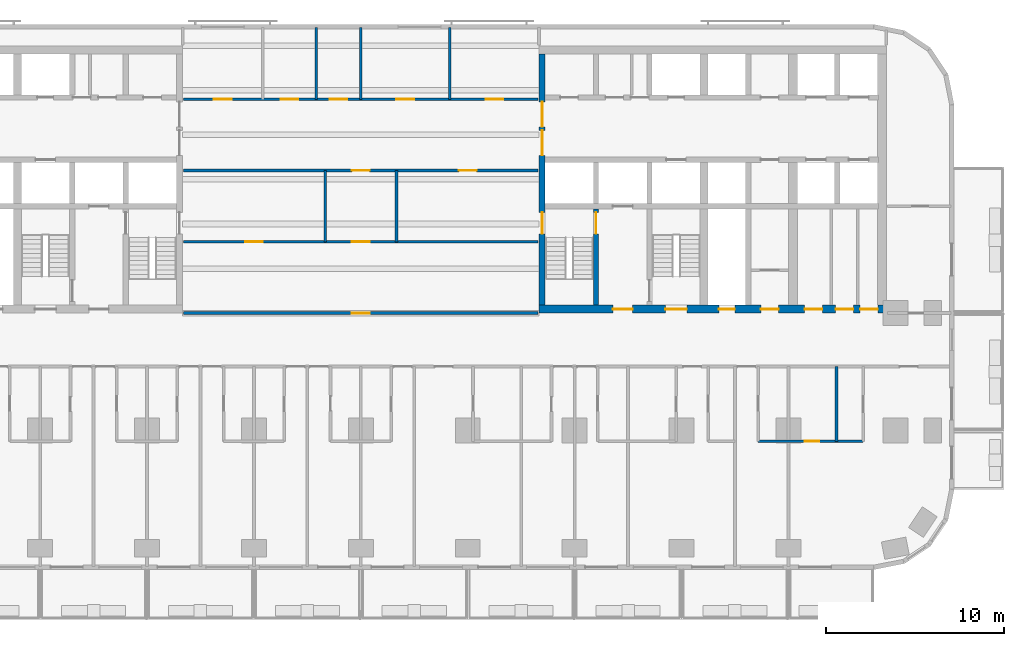
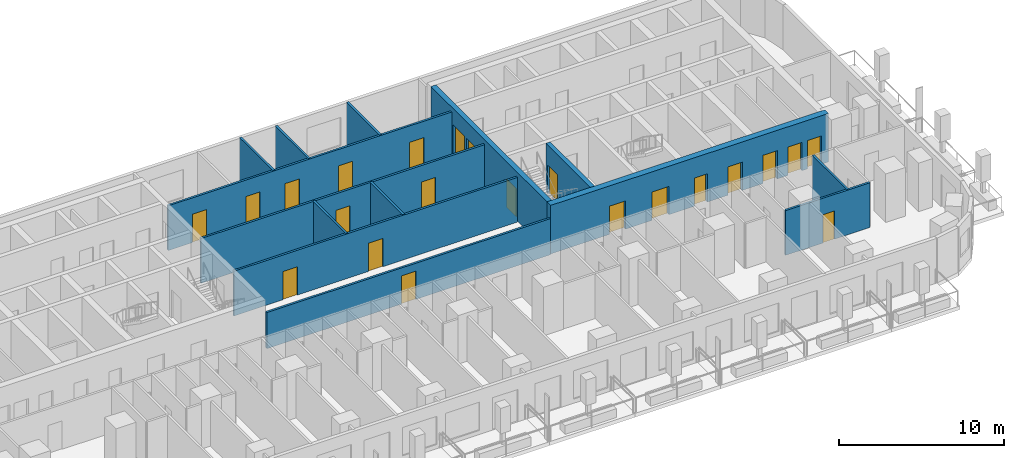
# One storey, part 7 of 15: 22 doors, 14 walls, 22 openings.
"""IFC4 building model written with IfcOpenShell, lengths in metres."""

from ifc_helpers import new_model, si_unit, direction, frame, frame_2d, origin, place, context, subcontext, project, spatial, rectangle, extrude, material, layer, layer_set, type_object, element, fill, save


model = new_model("IFC4")

# Units and contexts
model_context = context("Model", 3, precision=1e-05, world=origin(), true_north=direction((0.0, 1.0)))
body_context = subcontext(model_context, "Body", "Model", "MODEL_VIEW")
ifc_project = project(units=[si_unit("LENGTHUNIT", "METRE"), si_unit("AREAUNIT", "SQUARE_METRE"), si_unit("VOLUMEUNIT", "CUBIC_METRE"), si_unit("PLANEANGLEUNIT", "RADIAN"), si_unit("MASSUNIT", "GRAM", prefix="KILO")], contexts=[model_context])

# Site, building, storey
site_placement = place(None, origin())
site = spatial("IfcSite", under=ifc_project, at=site_placement, CompositionType="ELEMENT")
building_placement = place(site_placement, origin())
building = spatial("IfcBuilding", under=site, at=building_placement, Name="Torana Hotel and Residences", CompositionType="ELEMENT")
storey_placement = place(building_placement, frame((0.0, 0.0, 42.0)))
storey = spatial("IfcBuildingStorey", under=building, at=storey_placement, Name="L09", CompositionType="ELEMENT", Elevation=42.0)

# Wall, opening, door
ifc_material_1 = material(Name="Concrete C80/95", Category="concrete")
ifc_layer_1 = layer(ifc_material_1, 0.300048828125)
ifc_layer_set_1 = layer_set([ifc_layer_1], Name="CORE WALL 300 C80/95")
wall_type_1 = type_object("IfcWallType", Name="CORE WALL 300 C80/95", PredefinedType="SHEAR", material=ifc_layer_set_1)
wall_1_placement = place(storey_placement, frame((13.199951171875, -14.550048828125, 0.0), z_axis=(0.0, 0.0, 1.0), x_axis=(0.0, 1.0, 0.0)))
wall_1 = element("IfcWall", 1, at=wall_1_placement, inside=storey, type_object=wall_type_1, Name="Core wall E x3.05-band", PredefinedType="SHEAR", context=body_context, shape_type="SweptSolid", body=[
    extrude(rectangle(XDim=5.400146484375, YDim=0.300048828125, at=frame_2d((2.7001953125, 0.0))), origin(), (0.0, 0.0, 1.0), 3.60009765625),
])
opening_1_placement = place(wall_1_placement, frame((4.0, 0.0, 0.0)))
opening_1 = element("IfcOpeningElement", 2, at=opening_1_placement, cuts=wall_1, Name="Opening L09-35", PredefinedType="OPENING", context=body_context, shape_type="SweptSolid", body=[
    extrude(rectangle(XDim=1.199951171875, YDim=2.10009765625, at=frame_2d((0.60009765625, 1.050048828125))), frame((0.0, 0.159912109375, 0.0), z_axis=(0.0, -1.0, 0.0), x_axis=(1.0, 0.0, 0.0)), (0.0, 0.0, 1.0), 0.320068359375),
])
ifc_material_2 = material(Name="Steel S235", Category="steel")
door_type_1 = type_object("IfcDoorType", Name="STAIR FIRE DOOR D3 1200x2100", OperationType="SINGLE_SWING_LEFT", PredefinedType="DOOR", material=ifc_material_2)
door_1_placement = place(opening_1_placement, origin())
door_1 = element("IfcDoor", 3, at=door_1_placement, inside=storey, type_object=door_type_1, Name="Stair-A-lobby door L09", OperationType="SINGLE_SWING_LEFT", OverallHeight=2.10009765625, OverallWidth=1.199951171875, PredefinedType="DOOR", context=body_context, shape_type="SweptSolid", body=[
    extrude(rectangle(XDim=1.199951171875, YDim=2.10009765625, at=frame_2d((0.60009765625, 1.050048828125))), frame((0.0, 0.02490234375, 0.0), z_axis=(0.0, -1.0, 0.0), x_axis=(1.0, 0.0, 0.0)), (0.0, 0.0, 1.0), 0.050048828125),
])
fill(opening_1, door_1)

# Wall, openings, doors
ifc_material_3 = material(Name="Concrete C80/95", Category="concrete")
ifc_layer_2 = layer(ifc_material_3, 0.35009765625)
ifc_layer_set_2 = layer_set([ifc_layer_2], Name="CORE WALL 350 C80/95")
wall_type_2 = type_object("IfcWallType", Name="CORE WALL 350 C80/95", PredefinedType="SHEAR", material=ifc_layer_set_2)
wall_2_placement = place(storey_placement, frame((10.175048828125, -14.550048828125, 0.0), z_axis=(0.0, 0.0, 1.0), x_axis=(0.0, 1.0, 0.0)))
wall_2 = element("IfcWall", 4, at=wall_2_placement, inside=storey, type_object=wall_type_2, Name="Core wall E arch", PredefinedType="SHEAR", context=body_context, shape_type="SweptSolid", body=[
    extrude(rectangle(XDim=14.10009765625, YDim=0.35009765625, at=frame_2d((7.050048828125, 0.0))), origin(), (0.0, 0.0, 1.0), 3.60009765625),
])
opening_2_placement = place(wall_2_placement, frame((8.39990234375, 0.0, 0.0)))
opening_2 = element("IfcOpeningElement", 5, at=opening_2_placement, cuts=wall_2, Name="Opening L09-19", PredefinedType="OPENING", context=body_context, shape_type="SweptSolid", body=[
    extrude(rectangle(XDim=1.39990234375, YDim=2.39990234375, at=frame_2d((0.699951171875, 1.199951171875))), frame((0.0, 0.18505859375, 0.0), z_axis=(0.0, -1.0, 0.0), x_axis=(1.0, 0.0, 0.0)), (0.0, 0.0, 1.0), 0.3701171875),
])
opening_3_placement = place(wall_2_placement, frame((10.0, 0.0, 0.0)))
opening_3 = element("IfcOpeningElement", 6, at=opening_3_placement, cuts=wall_2, Name="Opening L09-20", PredefinedType="OPENING", context=body_context, shape_type="SweptSolid", body=[
    extrude(rectangle(XDim=1.39990234375, YDim=2.39990234375, at=frame_2d((0.699951171875, 1.199951171875))), frame((0.0, 0.18505859375, 0.0), z_axis=(0.0, -1.0, 0.0), x_axis=(1.0, 0.0, 0.0)), (0.0, 0.0, 1.0), 0.3701171875),
])
opening_4_placement = place(wall_2_placement, frame((4.0, 0.0, 0.0)))
opening_4 = element("IfcOpeningElement", 7, at=opening_4_placement, cuts=wall_2, Name="Opening L09-21", PredefinedType="OPENING", context=body_context, shape_type="SweptSolid", body=[
    extrude(rectangle(XDim=1.199951171875, YDim=2.10009765625, at=frame_2d((0.60009765625, 1.050048828125))), frame((0.0, 0.18505859375, 0.0), z_axis=(0.0, -1.0, 0.0), x_axis=(1.0, 0.0, 0.0)), (0.0, 0.0, 1.0), 0.3701171875),
])
ifc_material_4 = material(Name="Steel S235", Category="steel")
door_type_2 = type_object("IfcDoorType", Name="LOBBY FIRE DOOR D4 1400x2400", OperationType="DOUBLE_DOOR_SINGLE_SWING", PredefinedType="DOOR", material=ifc_material_4)
door_2_placement = place(opening_2_placement, origin())
door_2 = element("IfcDoor", 8, at=door_2_placement, inside=storey, type_object=door_type_2, Name="Lobby-1 door L09", OperationType="DOUBLE_DOOR_SINGLE_SWING", OverallHeight=2.39990234375, OverallWidth=1.39990234375, PredefinedType="DOOR", context=body_context, shape_type="SweptSolid", body=[
    extrude(rectangle(XDim=1.39990234375, YDim=2.39990234375, at=frame_2d((0.699951171875, 1.199951171875))), frame((0.0, 0.02490234375, 0.0), z_axis=(0.0, -1.0, 0.0), x_axis=(1.0, 0.0, 0.0)), (0.0, 0.0, 1.0), 0.050048828125),
])
fill(opening_2, door_2)
door_3_placement = place(opening_3_placement, origin())
door_3 = element("IfcDoor", 9, at=door_3_placement, inside=storey, type_object=door_type_2, Name="Lobby-2 door L09", OperationType="DOUBLE_DOOR_SINGLE_SWING", OverallHeight=2.39990234375, OverallWidth=1.39990234375, PredefinedType="DOOR", context=body_context, shape_type="SweptSolid", body=[
    extrude(rectangle(XDim=1.39990234375, YDim=2.39990234375, at=frame_2d((0.699951171875, 1.199951171875))), frame((0.0, 0.02490234375, 0.0), z_axis=(0.0, -1.0, 0.0), x_axis=(1.0, 0.0, 0.0)), (0.0, 0.0, 1.0), 0.050048828125),
])
fill(opening_3, door_3)
door_4_placement = place(opening_4_placement, frame((0.60009765625, 0.0, 0.0), z_axis=(0.0, 0.0, 1.0), x_axis=(-1.0, 0.0, 0.0)))
door_4 = element("IfcDoor", 10, at=door_4_placement, inside=storey, type_object=door_type_1, Name="Stair-A door L09", OperationType="SINGLE_SWING_RIGHT", OverallHeight=2.10009765625, OverallWidth=1.199951171875, PredefinedType="DOOR", context=body_context, shape_type="SweptSolid", body=[
    extrude(rectangle(XDim=1.199951171875, YDim=2.10009765625, at=frame_2d((0.0, 1.050048828125))), frame((0.0, -0.02490234375, 0.0), z_axis=(0.0, 1.0, 0.0), x_axis=(-1.0, 0.0, 0.0)), (0.0, 0.0, 1.0), 0.050048828125),
])
fill(opening_4, door_4)

ifc_material_5 = material(Name="Concrete C80/95", Category="concrete")
ifc_layer_3 = layer(ifc_material_5, 0.449951171875)
ifc_layer_set_3 = layer_set([ifc_layer_3], Name="CORE WALL 450 C80/95")
wall_type_3 = type_object("IfcWallType", Name="CORE WALL 450 C80/95", PredefinedType="SHEAR", material=ifc_layer_set_3)
wall_3_placement = place(storey_placement, frame((10.0, -14.77490234375, 0.0), z_axis=(0.0, 0.0, 1.0), x_axis=(1.0, 0.0, 0.0)))
wall_3 = element("IfcWall", 11, at=wall_3_placement, inside=storey, type_object=wall_type_3, Name="Core wall E front", PredefinedType="SHEAR", context=body_context, shape_type="SweptSolid", body=[
    extrude(rectangle(XDim=19.5, YDim=0.449951171875, at=frame_2d((9.75, 0.0))), origin(), (0.0, 0.0, 1.0), 3.60009765625),
])
opening_5_placement = place(wall_3_placement, frame((7.10009765625, 0.0, 0.0)))
opening_5 = element("IfcOpeningElement", 12, at=opening_5_placement, cuts=wall_3, Name="Opening L09-22", PredefinedType="OPENING", context=body_context, shape_type="SweptSolid", body=[
    extrude(rectangle(XDim=1.199951171875, YDim=2.10009765625, at=frame_2d((0.60009765625, 1.050048828125))), frame((0.0, 0.23486328125, 0.0), z_axis=(0.0, -1.0, 0.0), x_axis=(1.0, 0.0, 0.0)), (0.0, 0.0, 1.0), 0.469970703125),
])
opening_6_placement = place(wall_3_placement, frame((4.14990234375, 0.0, 0.0)))
opening_6 = element("IfcOpeningElement", 13, at=opening_6_placement, cuts=wall_3, Name="Opening L09-23", PredefinedType="OPENING", context=body_context, shape_type="SweptSolid", body=[
    extrude(rectangle(XDim=1.10009765625, YDim=2.10009765625, at=frame_2d((0.550048828125, 1.050048828125))), frame((0.0, 0.23486328125, 0.0), z_axis=(0.0, -1.0, 0.0), x_axis=(1.0, 0.0, 0.0)), (0.0, 0.0, 1.0), 0.469970703125),
])
opening_7_placement = place(wall_3_placement, frame((10.10009765625, 0.0, 0.0)))
opening_7 = element("IfcOpeningElement", 14, at=opening_7_placement, cuts=wall_3, Name="Opening L09-24", PredefinedType="OPENING", context=body_context, shape_type="SweptSolid", body=[
    extrude(rectangle(XDim=0.89990234375, YDim=2.10009765625, at=frame_2d((0.449951171875, 1.050048828125))), frame((0.0, 0.23486328125, 0.0), z_axis=(0.0, -1.0, 0.0), x_axis=(1.0, 0.0, 0.0)), (0.0, 0.0, 1.0), 0.469970703125),
])
opening_8_placement = place(wall_3_placement, frame((12.449951171875, 0.0, 0.0)))
opening_8 = element("IfcOpeningElement", 15, at=opening_8_placement, cuts=wall_3, Name="Opening L09-25", PredefinedType="OPENING", context=body_context, shape_type="SweptSolid", body=[
    extrude(rectangle(XDim=1.0, YDim=2.10009765625, at=frame_2d((0.5, 1.050048828125))), frame((0.0, 0.23486328125, 0.0), z_axis=(0.0, -1.0, 0.0), x_axis=(1.0, 0.0, 0.0)), (0.0, 0.0, 1.0), 0.469970703125),
])
opening_9_placement = place(wall_3_placement, frame((14.91259765625, 0.0, 0.0)))
opening_9 = element("IfcOpeningElement", 16, at=opening_9_placement, cuts=wall_3, Name="Opening L09-26", PredefinedType="OPENING", context=body_context, shape_type="SweptSolid", body=[
    extrude(rectangle(XDim=1.0, YDim=2.10009765625, at=frame_2d((0.5, 1.050048828125))), frame((0.0, 0.23486328125, 0.0), z_axis=(0.0, -1.0, 0.0), x_axis=(1.0, 0.0, 0.0)), (0.0, 0.0, 1.0), 0.469970703125),
])
opening_10_placement = place(wall_3_placement, frame((16.64990234375, 0.0, 0.0)))
opening_10 = element("IfcOpeningElement", 17, at=opening_10_placement, cuts=wall_3, Name="Opening L09-27", PredefinedType="OPENING", context=body_context, shape_type="SweptSolid", body=[
    extrude(rectangle(XDim=1.0, YDim=2.10009765625, at=frame_2d((0.5, 1.050048828125))), frame((0.0, 0.23486328125, 0.0), z_axis=(0.0, -1.0, 0.0), x_axis=(1.0, 0.0, 0.0)), (0.0, 0.0, 1.0), 0.469970703125),
])
opening_11_placement = place(wall_3_placement, frame((18.02490234375, 0.0, 0.0)))
opening_11 = element("IfcOpeningElement", 18, at=opening_11_placement, cuts=wall_3, Name="Opening L09-28", PredefinedType="OPENING", context=body_context, shape_type="SweptSolid", body=[
    extrude(rectangle(XDim=1.0, YDim=2.10009765625, at=frame_2d((0.5, 1.050048828125))), frame((0.0, 0.23486328125, 0.0), z_axis=(0.0, -1.0, 0.0), x_axis=(1.0, 0.0, 0.0)), (0.0, 0.0, 1.0), 0.469970703125),
])
ifc_material_6 = material(Name="Steel S235", Category="steel")
door_type_3 = type_object("IfcDoorType", Name="CORE ROOM FIRE DOOR D14 1000x2100", OperationType="SINGLE_SWING_LEFT", PredefinedType="DOOR", material=ifc_material_6)
door_5_placement = place(opening_8_placement, origin())
door_5 = element("IfcDoor", 19, at=door_5_placement, inside=storey, type_object=door_type_3, Name="M-Room-B door L09", OperationType="SINGLE_SWING_RIGHT", OverallHeight=2.10009765625, OverallWidth=1.0, PredefinedType="DOOR", context=body_context, shape_type="SweptSolid", body=[
    extrude(rectangle(XDim=1.0, YDim=2.10009765625, at=frame_2d((0.5, 1.050048828125))), frame((0.0, 0.02490234375, 0.0), z_axis=(0.0, -1.0, 0.0), x_axis=(1.0, 0.0, 0.0)), (0.0, 0.0, 1.0), 0.050048828125),
])
fill(opening_8, door_5)
door_6_placement = place(opening_9_placement, origin())
door_6 = element("IfcDoor", 20, at=door_6_placement, inside=storey, type_object=door_type_3, Name="L-A door L09", OperationType="SINGLE_SWING_RIGHT", OverallHeight=2.10009765625, OverallWidth=1.0, PredefinedType="DOOR", context=body_context, shape_type="SweptSolid", body=[
    extrude(rectangle(XDim=1.0, YDim=2.10009765625, at=frame_2d((0.5, 1.050048828125))), frame((0.0, 0.02490234375, 0.0), z_axis=(0.0, -1.0, 0.0), x_axis=(1.0, 0.0, 0.0)), (0.0, 0.0, 1.0), 0.050048828125),
])
fill(opening_9, door_6)
door_7_placement = place(opening_10_placement, origin())
door_7 = element("IfcDoor", 21, at=door_7_placement, inside=storey, type_object=door_type_3, Name="L-B door L09", OperationType="SINGLE_SWING_RIGHT", OverallHeight=2.10009765625, OverallWidth=1.0, PredefinedType="DOOR", context=body_context, shape_type="SweptSolid", body=[
    extrude(rectangle(XDim=1.0, YDim=2.10009765625, at=frame_2d((0.5, 1.050048828125))), frame((0.0, 0.02490234375, 0.0), z_axis=(0.0, -1.0, 0.0), x_axis=(1.0, 0.0, 0.0)), (0.0, 0.0, 1.0), 0.050048828125),
])
fill(opening_10, door_7)
door_8_placement = place(opening_11_placement, origin())
door_8 = element("IfcDoor", 22, at=door_8_placement, inside=storey, type_object=door_type_3, Name="L-C door L09", OperationType="SINGLE_SWING_RIGHT", OverallHeight=2.10009765625, OverallWidth=1.0, PredefinedType="DOOR", context=body_context, shape_type="SweptSolid", body=[
    extrude(rectangle(XDim=1.0, YDim=2.10009765625, at=frame_2d((0.5, 1.050048828125))), frame((0.0, 0.02490234375, 0.0), z_axis=(0.0, -1.0, 0.0), x_axis=(1.0, 0.0, 0.0)), (0.0, 0.0, 1.0), 0.050048828125),
])
fill(opening_11, door_8)
ifc_material_7 = material(Name="Steel S235", Category="steel")
door_type_4 = type_object("IfcDoorType", Name="FIRE-FIGHTING LOBBY DOOR D8 1100x2100", OperationType="SINGLE_SWING_LEFT", PredefinedType="DOOR", material=ifc_material_7)
door_9_placement = place(opening_6_placement, origin())
door_9 = element("IfcDoor", 23, at=door_9_placement, inside=storey, type_object=door_type_4, Name="FF-lobby door L09", OperationType="SINGLE_SWING_RIGHT", OverallHeight=2.10009765625, OverallWidth=1.10009765625, PredefinedType="DOOR", context=body_context, shape_type="SweptSolid", body=[
    extrude(rectangle(XDim=1.10009765625, YDim=2.10009765625, at=frame_2d((0.550048828125, 1.050048828125))), frame((0.0, 0.02490234375, 0.0), z_axis=(0.0, -1.0, 0.0), x_axis=(1.0, 0.0, 0.0)), (0.0, 0.0, 1.0), 0.050048828125),
])
fill(opening_6, door_9)
ifc_material_8 = material(Name="Steel S235", Category="steel")
door_type_5 = type_object("IfcDoorType", Name="RISER ACCESS DOOR D5 900x2100", OperationType="SINGLE_SWING_LEFT", PredefinedType="DOOR", material=ifc_material_8)
door_10_placement = place(opening_7_placement, origin())
door_10 = element("IfcDoor", 24, at=door_10_placement, inside=storey, type_object=door_type_5, Name="M-Riser door L09", OperationType="SINGLE_SWING_RIGHT", OverallHeight=2.10009765625, OverallWidth=0.89990234375, PredefinedType="DOOR", context=body_context, shape_type="SweptSolid", body=[
    extrude(rectangle(XDim=0.89990234375, YDim=2.10009765625, at=frame_2d((0.449951171875, 1.050048828125))), frame((0.0, 0.02490234375, 0.0), z_axis=(0.0, -1.0, 0.0), x_axis=(1.0, 0.0, 0.0)), (0.0, 0.0, 1.0), 0.050048828125),
])
fill(opening_7, door_10)
door_11_placement = place(opening_5_placement, origin())
door_11 = element("IfcDoor", 25, at=door_11_placement, inside=storey, type_object=door_type_1, Name="Stair-B door L09", OperationType="SINGLE_SWING_RIGHT", OverallHeight=2.10009765625, OverallWidth=1.199951171875, PredefinedType="DOOR", context=body_context, shape_type="SweptSolid", body=[
    extrude(rectangle(XDim=1.199951171875, YDim=2.10009765625, at=frame_2d((0.60009765625, 1.050048828125))), frame((0.0, 0.02490234375, 0.0), z_axis=(0.0, -1.0, 0.0), x_axis=(1.0, 0.0, 0.0)), (0.0, 0.0, 1.0), 0.050048828125),
])
fill(opening_5, door_11)

# Walls
ifc_material_9 = material(Name="Gypsum plaster")
ifc_layer_4 = layer(ifc_material_9, 0.014892578125, Name="Plaster", Category="finish")
ifc_material_10 = material(Name="Concrete blockwork", Category="masonry")
ifc_layer_5 = layer(ifc_material_10, 0.1201171875, Name="Blockwork", Category="structure")
ifc_layer_6 = layer(ifc_material_9, 0.014892578125, Name="Plaster", Category="finish")
ifc_layer_set_4 = layer_set([ifc_layer_4, ifc_layer_5, ifc_layer_6], Name="FIRE PARTITION 150 BLOCKWORK")
wall_type_4 = type_object("IfcWallType", Name="FIRE PARTITION 150 BLOCKWORK", PredefinedType="PARTITIONING", material=ifc_layer_set_4)
for number, where, z_axis, x_axis, name in (
    (26, (2.0, -11.0, 0.0), (0.0, 0.0, 1.0), (0.0, 1.0, 0.0), "Partition L09"),
    (27, (-2.0, -11.0, 0.0), (0.0, 0.0, 1.0), (0.0, 1.0, 0.0), "Partition L09"),
):
    element("IfcWall", number, at=place(storey_placement, frame(where, z_axis=z_axis, x_axis=x_axis)), inside=storey, type_object=wall_type_4, Name=name, PredefinedType="PARTITIONING", context=body_context, shape_type="SweptSolid", body=[
        extrude(rectangle(XDim=4.0, YDim=0.14990234375, at=frame_2d((2.0, 0.0))), origin(), (0.0, 0.0, 1.0), 3.320068359375),
    ])

# Wall, opening, door
wall_4_placement = place(storey_placement, frame((-9.949951171875, -15.0, 0.0), z_axis=(0.0, 0.0, 1.0), x_axis=(1.0, 0.0, 0.0)))
wall_4 = element("IfcWall", 28, at=wall_4_placement, inside=storey, type_object=wall_type_4, Name="Partition L09", PredefinedType="PARTITIONING", context=body_context, shape_type="SweptSolid", body=[
    extrude(rectangle(XDim=19.89990234375, YDim=0.14990234375, at=frame_2d((9.949951171875, 0.0))), origin(), (0.0, 0.0, 1.0), 2.68408203125),
])
opening_12_placement = place(wall_4_placement, frame((9.449951171875, 0.0, 0.0)))
opening_12 = element("IfcOpeningElement", 29, at=opening_12_placement, cuts=wall_4, Name="Opening L09-39", PredefinedType="OPENING", context=body_context, shape_type="SweptSolid", body=[
    extrude(rectangle(XDim=1.0, YDim=2.10009765625, at=frame_2d((0.5, 1.050048828125))), frame((0.0, 0.0849609375, 0.0), z_axis=(0.0, -1.0, 0.0), x_axis=(1.0, 0.0, 0.0)), (0.0, 0.0, 1.0), 0.169921875),
])
ifc_material_11 = material(Name="Steel S235", Category="steel")
door_type_6 = type_object("IfcDoorType", Name="ENTRY FIRE DOOR D6 1000x2100", OperationType="SINGLE_SWING_LEFT", PredefinedType="DOOR", material=ifc_material_11)
door_12_placement = place(opening_12_placement, origin())
door_12 = element("IfcDoor", 30, at=door_12_placement, inside=storey, type_object=door_type_6, Name="Door L09", OperationType="SINGLE_SWING_RIGHT", OverallHeight=2.10009765625, OverallWidth=1.0, PredefinedType="DOOR", context=body_context, shape_type="SweptSolid", body=[
    extrude(rectangle(XDim=1.0, YDim=2.10009765625, at=frame_2d((0.5, 1.050048828125))), frame((0.0, 0.02490234375, 0.0), z_axis=(0.0, -1.0, 0.0), x_axis=(1.0, 0.0, 0.0)), (0.0, 0.0, 1.0), 0.050048828125),
])
fill(opening_12, door_12)

# Wall, openings, doors
wall_5_placement = place(storey_placement, frame((-9.949951171875, -11.0, 0.0), z_axis=(0.0, 0.0, 1.0), x_axis=(1.0, 0.0, 0.0)))
wall_5 = element("IfcWall", 31, at=wall_5_placement, inside=storey, type_object=wall_type_4, Name="Partition L09", PredefinedType="PARTITIONING", context=body_context, shape_type="SweptSolid", body=[
    extrude(rectangle(XDim=19.89990234375, YDim=0.14990234375, at=frame_2d((9.949951171875, 0.0))), origin(), (0.0, 0.0, 1.0), 3.320068359375),
])
opening_13_placement = place(wall_5_placement, frame((9.449951171875, 0.0, 0.0)))
opening_13 = element("IfcOpeningElement", 32, at=opening_13_placement, cuts=wall_5, Name="Opening L09-57", PredefinedType="OPENING", context=body_context, shape_type="SweptSolid", body=[
    extrude(rectangle(XDim=1.0, YDim=2.10009765625, at=frame_2d((0.5, 1.050048828125))), frame((0.0, 0.0849609375, 0.0), z_axis=(0.0, -1.0, 0.0), x_axis=(1.0, 0.0, 0.0)), (0.0, 0.0, 1.0), 0.169921875),
])
opening_14_placement = place(wall_5_placement, frame((3.449951171875, 0.0, 0.0)))
opening_14 = element("IfcOpeningElement", 33, at=opening_14_placement, cuts=wall_5, Name="Opening L09-58", PredefinedType="OPENING", context=body_context, shape_type="SweptSolid", body=[
    extrude(rectangle(XDim=1.0, YDim=2.10009765625, at=frame_2d((0.5, 1.050048828125))), frame((0.0, 0.0849609375, 0.0), z_axis=(0.0, -1.0, 0.0), x_axis=(1.0, 0.0, 0.0)), (0.0, 0.0, 1.0), 0.169921875),
])
door_13_placement = place(opening_13_placement, origin())
door_13 = element("IfcDoor", 34, at=door_13_placement, inside=storey, type_object=door_type_6, Name="Door L09", OperationType="SINGLE_SWING_RIGHT", OverallHeight=2.10009765625, OverallWidth=1.0, PredefinedType="DOOR", context=body_context, shape_type="SweptSolid", body=[
    extrude(rectangle(XDim=1.0, YDim=2.10009765625, at=frame_2d((0.5, 1.050048828125))), frame((0.0, 0.02490234375, 0.0), z_axis=(0.0, -1.0, 0.0), x_axis=(1.0, 0.0, 0.0)), (0.0, 0.0, 1.0), 0.050048828125),
])
fill(opening_13, door_13)
door_14_placement = place(opening_14_placement, origin())
door_14 = element("IfcDoor", 35, at=door_14_placement, inside=storey, type_object=door_type_6, Name="Door L09", OperationType="SINGLE_SWING_RIGHT", OverallHeight=2.10009765625, OverallWidth=1.0, PredefinedType="DOOR", context=body_context, shape_type="SweptSolid", body=[
    extrude(rectangle(XDim=1.0, YDim=2.10009765625, at=frame_2d((0.5, 1.050048828125))), frame((0.0, 0.02490234375, 0.0), z_axis=(0.0, -1.0, 0.0), x_axis=(1.0, 0.0, 0.0)), (0.0, 0.0, 1.0), 0.050048828125),
])
fill(opening_14, door_14)

wall_6_placement = place(storey_placement, frame((-9.949951171875, -7.0, 0.0), z_axis=(0.0, 0.0, 1.0), x_axis=(1.0, 0.0, 0.0)))
wall_6 = element("IfcWall", 36, at=wall_6_placement, inside=storey, type_object=wall_type_4, Name="Partition L09", PredefinedType="PARTITIONING", context=body_context, shape_type="SweptSolid", body=[
    extrude(rectangle(XDim=19.89990234375, YDim=0.14990234375, at=frame_2d((9.949951171875, 0.0))), origin(), (0.0, 0.0, 1.0), 3.320068359375),
])
opening_15_placement = place(wall_6_placement, frame((9.449951171875, 0.0, 0.0)))
opening_15 = element("IfcOpeningElement", 37, at=opening_15_placement, cuts=wall_6, Name="Opening L09-59", PredefinedType="OPENING", context=body_context, shape_type="SweptSolid", body=[
    extrude(rectangle(XDim=1.0, YDim=2.10009765625, at=frame_2d((0.5, 1.050048828125))), frame((0.0, 0.0849609375, 0.0), z_axis=(0.0, -1.0, 0.0), x_axis=(1.0, 0.0, 0.0)), (0.0, 0.0, 1.0), 0.169921875),
])
opening_16_placement = place(wall_6_placement, frame((15.449951171875, 0.0, 0.0)))
opening_16 = element("IfcOpeningElement", 38, at=opening_16_placement, cuts=wall_6, Name="Opening L09-60", PredefinedType="OPENING", context=body_context, shape_type="SweptSolid", body=[
    extrude(rectangle(XDim=1.0, YDim=2.10009765625, at=frame_2d((0.5, 1.050048828125))), frame((0.0, 0.0849609375, 0.0), z_axis=(0.0, -1.0, 0.0), x_axis=(1.0, 0.0, 0.0)), (0.0, 0.0, 1.0), 0.169921875),
])
door_15_placement = place(opening_15_placement, origin())
door_15 = element("IfcDoor", 39, at=door_15_placement, inside=storey, type_object=door_type_6, Name="Door L09", OperationType="SINGLE_SWING_RIGHT", OverallHeight=2.10009765625, OverallWidth=1.0, PredefinedType="DOOR", context=body_context, shape_type="SweptSolid", body=[
    extrude(rectangle(XDim=1.0, YDim=2.10009765625, at=frame_2d((0.5, 1.050048828125))), frame((0.0, 0.02490234375, 0.0), z_axis=(0.0, -1.0, 0.0), x_axis=(1.0, 0.0, 0.0)), (0.0, 0.0, 1.0), 0.050048828125),
])
fill(opening_15, door_15)
door_16_placement = place(opening_16_placement, frame((0.5, 0.0, 0.0), z_axis=(0.0, 0.0, 1.0), x_axis=(-1.0, 0.0, 0.0)))
door_16 = element("IfcDoor", 40, at=door_16_placement, inside=storey, type_object=door_type_6, Name="Door L09", OperationType="SINGLE_SWING_LEFT", OverallHeight=2.10009765625, OverallWidth=1.0, PredefinedType="DOOR", context=body_context, shape_type="SweptSolid", body=[
    extrude(rectangle(XDim=1.0, YDim=2.10009765625, at=frame_2d((0.0, 1.050048828125))), frame((0.0, -0.02490234375, 0.0), z_axis=(0.0, 1.0, 0.0), x_axis=(-1.0, 0.0, 0.0)), (0.0, 0.0, 1.0), 0.050048828125),
])
fill(opening_16, door_16)

wall_7_placement = place(storey_placement, frame((-9.949951171875, -3.0, 0.0), z_axis=(0.0, 0.0, 1.0), x_axis=(1.0, 0.0, 0.0)))
wall_7 = element("IfcWall", 41, at=wall_7_placement, inside=storey, type_object=wall_type_4, Name="Partition L09", PredefinedType="PARTITIONING", context=body_context, shape_type="SweptSolid", body=[
    extrude(rectangle(XDim=19.89990234375, YDim=0.14990234375, at=frame_2d((9.949951171875, 0.0))), origin(), (0.0, 0.0, 1.0), 3.320068359375),
])
opening_17_placement = place(wall_7_placement, frame((1.699951171875, 0.0, 0.0)))
opening_17 = element("IfcOpeningElement", 42, at=opening_17_placement, cuts=wall_7, Name="Opening L09-61", PredefinedType="OPENING", context=body_context, shape_type="SweptSolid", body=[
    extrude(rectangle(XDim=1.0, YDim=2.10009765625, at=frame_2d((0.5, 1.050048828125))), frame((0.0, 0.0849609375, 0.0), z_axis=(0.0, -1.0, 0.0), x_axis=(1.0, 0.0, 0.0)), (0.0, 0.0, 1.0), 0.169921875),
])
opening_18_placement = place(wall_7_placement, frame((5.449951171875, 0.0, 0.0)))
opening_18 = element("IfcOpeningElement", 43, at=opening_18_placement, cuts=wall_7, Name="Opening L09-62", PredefinedType="OPENING", context=body_context, shape_type="SweptSolid", body=[
    extrude(rectangle(XDim=1.0, YDim=2.10009765625, at=frame_2d((0.5, 1.050048828125))), frame((0.0, 0.0849609375, 0.0), z_axis=(0.0, -1.0, 0.0), x_axis=(1.0, 0.0, 0.0)), (0.0, 0.0, 1.0), 0.169921875),
])
opening_19_placement = place(wall_7_placement, frame((8.199951171875, 0.0, 0.0)))
opening_19 = element("IfcOpeningElement", 44, at=opening_19_placement, cuts=wall_7, Name="Opening L09-63", PredefinedType="OPENING", context=body_context, shape_type="SweptSolid", body=[
    extrude(rectangle(XDim=1.0, YDim=2.10009765625, at=frame_2d((0.5, 1.050048828125))), frame((0.0, 0.0849609375, 0.0), z_axis=(0.0, -1.0, 0.0), x_axis=(1.0, 0.0, 0.0)), (0.0, 0.0, 1.0), 0.169921875),
])
opening_20_placement = place(wall_7_placement, frame((11.949951171875, 0.0, 0.0)))
opening_20 = element("IfcOpeningElement", 45, at=opening_20_placement, cuts=wall_7, Name="Opening L09-64", PredefinedType="OPENING", context=body_context, shape_type="SweptSolid", body=[
    extrude(rectangle(XDim=1.0, YDim=2.10009765625, at=frame_2d((0.5, 1.050048828125))), frame((0.0, 0.0849609375, 0.0), z_axis=(0.0, -1.0, 0.0), x_axis=(1.0, 0.0, 0.0)), (0.0, 0.0, 1.0), 0.169921875),
])
opening_21_placement = place(wall_7_placement, frame((16.949951171875, 0.0, 0.0)))
opening_21 = element("IfcOpeningElement", 46, at=opening_21_placement, cuts=wall_7, Name="Opening L09-65", PredefinedType="OPENING", context=body_context, shape_type="SweptSolid", body=[
    extrude(rectangle(XDim=1.0, YDim=2.10009765625, at=frame_2d((0.5, 1.050048828125))), frame((0.0, 0.0849609375, 0.0), z_axis=(0.0, -1.0, 0.0), x_axis=(1.0, 0.0, 0.0)), (0.0, 0.0, 1.0), 0.169921875),
])
door_17_placement = place(opening_17_placement, origin())
door_17 = element("IfcDoor", 47, at=door_17_placement, inside=storey, type_object=door_type_6, Name="Door L09", OperationType="SINGLE_SWING_RIGHT", OverallHeight=2.10009765625, OverallWidth=1.0, PredefinedType="DOOR", context=body_context, shape_type="SweptSolid", body=[
    extrude(rectangle(XDim=1.0, YDim=2.10009765625, at=frame_2d((0.5, 1.050048828125))), frame((0.0, 0.02490234375, 0.0), z_axis=(0.0, -1.0, 0.0), x_axis=(1.0, 0.0, 0.0)), (0.0, 0.0, 1.0), 0.050048828125),
])
fill(opening_17, door_17)
door_18_placement = place(opening_18_placement, origin())
door_18 = element("IfcDoor", 48, at=door_18_placement, inside=storey, type_object=door_type_6, Name="Door L09", OperationType="SINGLE_SWING_RIGHT", OverallHeight=2.10009765625, OverallWidth=1.0, PredefinedType="DOOR", context=body_context, shape_type="SweptSolid", body=[
    extrude(rectangle(XDim=1.0, YDim=2.10009765625, at=frame_2d((0.5, 1.050048828125))), frame((0.0, 0.02490234375, 0.0), z_axis=(0.0, -1.0, 0.0), x_axis=(1.0, 0.0, 0.0)), (0.0, 0.0, 1.0), 0.050048828125),
])
fill(opening_18, door_18)
door_19_placement = place(opening_19_placement, origin())
door_19 = element("IfcDoor", 49, at=door_19_placement, inside=storey, type_object=door_type_6, Name="Door L09", OperationType="SINGLE_SWING_RIGHT", OverallHeight=2.10009765625, OverallWidth=1.0, PredefinedType="DOOR", context=body_context, shape_type="SweptSolid", body=[
    extrude(rectangle(XDim=1.0, YDim=2.10009765625, at=frame_2d((0.5, 1.050048828125))), frame((0.0, 0.02490234375, 0.0), z_axis=(0.0, -1.0, 0.0), x_axis=(1.0, 0.0, 0.0)), (0.0, 0.0, 1.0), 0.050048828125),
])
fill(opening_19, door_19)
door_20_placement = place(opening_20_placement, origin())
door_20 = element("IfcDoor", 50, at=door_20_placement, inside=storey, type_object=door_type_6, Name="Door L09", OperationType="SINGLE_SWING_RIGHT", OverallHeight=2.10009765625, OverallWidth=1.0, PredefinedType="DOOR", context=body_context, shape_type="SweptSolid", body=[
    extrude(rectangle(XDim=1.0, YDim=2.10009765625, at=frame_2d((0.5, 1.050048828125))), frame((0.0, 0.02490234375, 0.0), z_axis=(0.0, -1.0, 0.0), x_axis=(1.0, 0.0, 0.0)), (0.0, 0.0, 1.0), 0.050048828125),
])
fill(opening_20, door_20)
door_21_placement = place(opening_21_placement, origin())
door_21 = element("IfcDoor", 51, at=door_21_placement, inside=storey, type_object=door_type_6, Name="Door L09", OperationType="SINGLE_SWING_RIGHT", OverallHeight=2.10009765625, OverallWidth=1.0, PredefinedType="DOOR", context=body_context, shape_type="SweptSolid", body=[
    extrude(rectangle(XDim=1.0, YDim=2.10009765625, at=frame_2d((0.5, 1.050048828125))), frame((0.0, 0.02490234375, 0.0), z_axis=(0.0, -1.0, 0.0), x_axis=(1.0, 0.0, 0.0)), (0.0, 0.0, 1.0), 0.050048828125),
])
fill(opening_21, door_21)

# Walls
ifc_material_12 = material(Name="Gypsum plasterboard")
ifc_layer_7 = layer(ifc_material_12, 0.012451171875, Name="Plasterboard", Category="finish")
ifc_layer_8 = layer(ifc_material_12, 0.012451171875, Name="Plasterboard", Category="finish")
ifc_material_13 = material(Name="Steel S280GD", Category="steel")
ifc_layer_9 = layer(ifc_material_13, 0.10009765625, Name="Steel studs with mineral wool", Category="insulation")
ifc_layer_10 = layer(ifc_material_12, 0.012451171875, Name="Plasterboard", Category="finish")
ifc_layer_11 = layer(ifc_material_12, 0.012451171875, Name="Plasterboard", Category="finish")
ifc_layer_set_5 = layer_set([ifc_layer_7, ifc_layer_8, ifc_layer_9, ifc_layer_10, ifc_layer_11], Name="PARTITION 150 PLASTERBOARD")
wall_type_5 = type_object("IfcWallType", Name="PARTITION 150 PLASTERBOARD", PredefinedType="PARTITIONING", material=ifc_layer_set_5)
wall_8_placement = place(storey_placement, frame((26.699951171875, -22.199951171875, 0.0), z_axis=(0.0, 0.0, 1.0), x_axis=(0.0, 1.0, 0.0)))
element("IfcWall", 52, at=wall_8_placement, inside=storey, type_object=wall_type_5, Name="Partition L09", PredefinedType="PARTITIONING", context=body_context, shape_type="SweptSolid", body=[
    extrude(rectangle(XDim=4.199951171875, YDim=0.14990234375, at=frame_2d((2.10009765625, 0.0))), origin(), (0.0, 0.0, 1.0), 3.320068359375),
])
wall_9_placement = place(storey_placement, frame((5.0, -3.0, 0.0), z_axis=(0.0, 0.0, 1.0), x_axis=(0.0, 1.0, 0.0)))
element("IfcWall", 53, at=wall_9_placement, inside=storey, type_object=wall_type_5, Name="Partition L09", PredefinedType="PARTITIONING", context=body_context, shape_type="SweptSolid", body=[
    extrude(rectangle(XDim=4.02001953125, YDim=0.14990234375, at=frame_2d((2.010009765625, 0.0))), origin(), (0.0, 0.0, 1.0), 3.320068359375),
])

# Wall, opening, door
wall_10_placement = place(storey_placement, frame((22.300048828125, -22.199951171875, 0.0), z_axis=(0.0, 0.0, 1.0), x_axis=(1.0, 0.0, 0.0)))
wall_10 = element("IfcWall", 54, at=wall_10_placement, inside=storey, type_object=wall_type_5, Name="Partition L09", PredefinedType="PARTITIONING", context=body_context, shape_type="SweptSolid", body=[
    extrude(rectangle(XDim=5.89990234375, YDim=0.14990234375, at=frame_2d((2.949951171875, 0.0))), origin(), (0.0, 0.0, 1.0), 3.320068359375),
])
opening_22_placement = place(wall_10_placement, frame((2.6298828125, 0.0, 0.0)))
opening_22 = element("IfcOpeningElement", 55, at=opening_22_placement, cuts=wall_10, Name="Opening L09-82", PredefinedType="OPENING", context=body_context, shape_type="SweptSolid", body=[
    extrude(rectangle(XDim=0.800048828125, YDim=2.10009765625, at=frame_2d((0.39990234375, 1.050048828125))), frame((0.0, 0.0849609375, 0.0), z_axis=(0.0, -1.0, 0.0), x_axis=(1.0, 0.0, 0.0)), (0.0, 0.0, 1.0), 0.169921875),
])
ifc_material_14 = material(Name="Timber door, painted", Category="wood")
door_type_7 = type_object("IfcDoorType", Name="BATH DOOR D13 800x2100", OperationType="SINGLE_SWING_LEFT", PredefinedType="DOOR", material=ifc_material_14)
door_22_placement = place(opening_22_placement, origin())
door_22 = element("IfcDoor", 56, at=door_22_placement, inside=storey, type_object=door_type_7, Name="Door L09", OperationType="SINGLE_SWING_RIGHT", OverallHeight=2.10009765625, OverallWidth=0.800048828125, PredefinedType="DOOR", context=body_context, shape_type="SweptSolid", body=[
    extrude(rectangle(XDim=0.800048828125, YDim=2.10009765625, at=frame_2d((0.39990234375, 1.050048828125))), frame((0.0, 0.02490234375, 0.0), z_axis=(0.0, -1.0, 0.0), x_axis=(1.0, 0.0, 0.0)), (0.0, 0.0, 1.0), 0.050048828125),
])
fill(opening_22, door_22)

# Walls
ifc_material_15 = material(Name="Ceramic tile on adhesive")
ifc_layer_12 = layer(ifc_material_15, 0.010009765625, Name="Wall tile", Category="finish")
ifc_material_16 = material(Name="Cement render")
ifc_layer_13 = layer(ifc_material_16, 0.010009765625, Name="Render", Category="finish")
ifc_layer_14 = layer(ifc_material_10, 0.110107421875, Name="Blockwork", Category="structure")
ifc_layer_15 = layer(ifc_material_16, 0.010009765625, Name="Render", Category="finish")
ifc_layer_16 = layer(ifc_material_15, 0.010009765625, Name="Wall tile", Category="finish")
ifc_layer_set_6 = layer_set([ifc_layer_12, ifc_layer_13, ifc_layer_14, ifc_layer_15, ifc_layer_16], Name="WC PARTITION 150")
wall_type_6 = type_object("IfcWallType", Name="WC PARTITION 150", PredefinedType="PLUMBINGWALL", material=ifc_layer_set_6)
for number, where, z_axis, x_axis, name in (
    (57, (0.0, -3.0, 0.0), (0.0, 0.0, 1.0), (0.0, 1.0, 0.0), "Partition L09"),
    (58, (-2.5, -3.0, 0.0), (0.0, 0.0, 1.0), (0.0, 1.0, 0.0), "Partition L09"),
):
    element("IfcWall", number, at=place(storey_placement, frame(where, z_axis=z_axis, x_axis=x_axis)), inside=storey, type_object=wall_type_6, Name=name, PredefinedType="PLUMBINGWALL", context=body_context, shape_type="SweptSolid", body=[
        extrude(rectangle(XDim=4.02001953125, YDim=0.14990234375, at=frame_2d((2.010009765625, 0.0))), origin(), (0.0, 0.0, 1.0), 3.320068359375),
    ])

save(model, "model.ifc")
